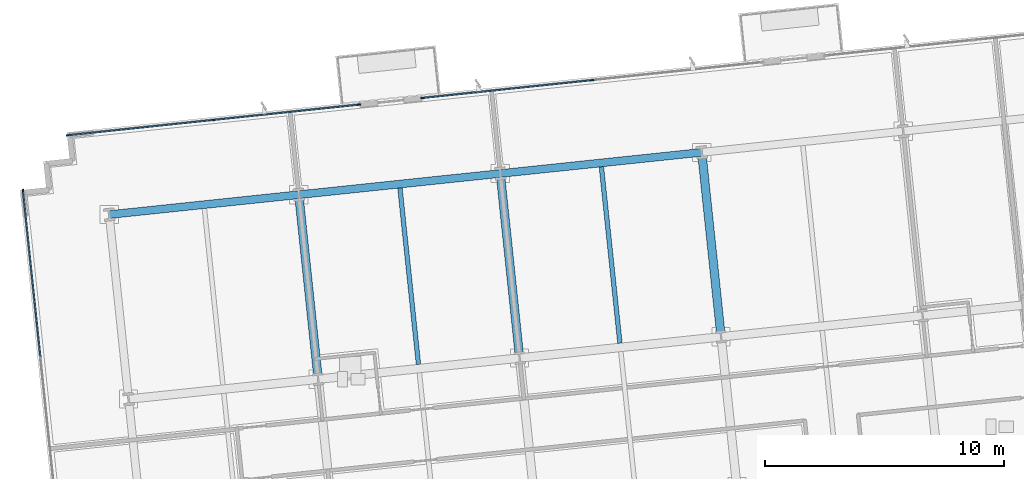
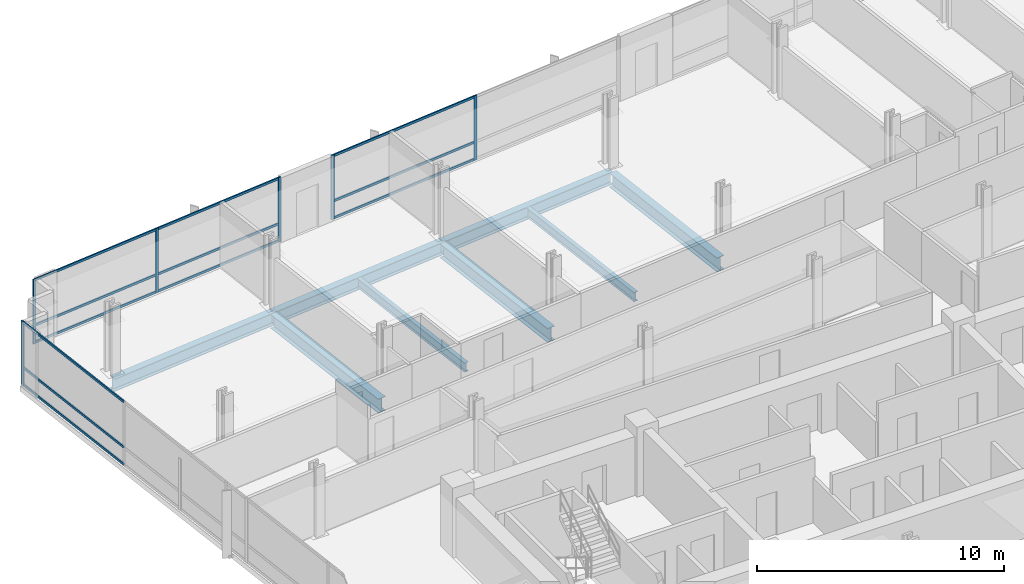
# One storey, part 9 of 21: 18 members, 8 beams, 3 elements without a shape of their own.
"""IFC4 building model written with IfcOpenShell, lengths in metres."""

from ifc_helpers import new_model, si_unit, direction, frame, origin, origin_2d, place, context, subcontext, project, spatial, rectangle, i_section, extrude, material, material_profile, profile_set, type_object, element, aggregate, save


model = new_model("IFC4")

# Units and contexts
model_context = context("Model", 3, precision=1e-05, world=origin(), true_north=direction((0.0, 1.0)))
body_context = subcontext(model_context, "Body", "Model", "MODEL_VIEW")
ifc_project = project(units=[si_unit("LENGTHUNIT", "METRE"), si_unit("AREAUNIT", "SQUARE_METRE"), si_unit("VOLUMEUNIT", "CUBIC_METRE"), si_unit("PLANEANGLEUNIT", "RADIAN"), si_unit("MASSUNIT", "GRAM", prefix="KILO")], contexts=[model_context])

# Site, building, storey
site_placement = place(None, origin())
site = spatial("IfcSite", under=ifc_project, at=site_placement, CompositionType="ELEMENT")
building_placement = place(site_placement, origin())
building = spatial("IfcBuilding", under=site, at=building_placement, Name="Solmavex Isthmus Hotel", CompositionType="ELEMENT")
storey_placement = place(building_placement, frame((0.0, 0.0, 113.25)))
storey = spatial("IfcBuildingStorey", under=building, at=storey_placement, Name="L30", CompositionType="ELEMENT", Elevation=113.25)

# Beams
ifc_material_1 = material(Name="Steel ASTM A992 Grade 50", Category="steel")
ifc_material_profile_1 = material_profile(ifc_material_1, i_section(OverallWidth=0.354736328125, OverallDepth=0.695556640625, WebThickness=0.015380859375, FlangeThickness=0.02490234375, FilletRadius=0.017822265625, at=origin_2d()), Name="W27X146")
ifc_profile_set_1 = profile_set([ifc_material_profile_1], Name="Steel ASTM A992 Grade 50")
beam_type_1 = type_object("IfcBeamType", Name="BM-BG-W27X146", PredefinedType="BEAM", material=ifc_profile_set_1)
for number, where, z_axis, x_axis, name in (
    (1, (-13.135498046875, 8.55859375, -0.607666015625), (-0.1045578893, 0.994518802128, 0.0), (-0.994518802128, -0.1045578893, 0.0), "Floor Beam L30-VG31"),
    (2, (-4.716064453125, 9.443603515625, -0.607666015625), (-0.104525307271, 0.994522227072, 0.0), (-0.994522227072, -0.104525307271, 0.0), "Floor Beam L30-VG35"),
):
    element("IfcBeam", number, at=place(storey_placement, frame(where, z_axis=z_axis, x_axis=x_axis)), inside=storey, type_object=beam_type_1, Name=name, PredefinedType="BEAM", context=body_context, shape_type="SweptSolid", body=[
        extrude(i_section(OverallWidth=0.354736328125, OverallDepth=0.695556640625, WebThickness=0.015380859375, FlangeThickness=0.02490234375, FilletRadius=0.017822265625, at=origin_2d()), origin(), (0.0, 0.0, 1.0), 7.4111328125),
    ])
beam_1_placement = place(storey_placement, frame((3.70361328125, 10.328369140625, -0.607666015625), z_axis=(-0.10452188296, 0.994522586964, 0.0), x_axis=(-0.994522586964, -0.10452188296, 0.0)))
element("IfcBeam", 3, at=beam_1_placement, inside=storey, type_object=beam_type_1, Name="Floor Beam L30-VG39", PredefinedType="BEAM", context=body_context, shape_type="SweptSolid", body=[
    extrude(i_section(OverallWidth=0.354736328125, OverallDepth=0.695556640625, WebThickness=0.015380859375, FlangeThickness=0.02490234375, FilletRadius=0.017822265625, at=origin_2d()), origin(), (0.0, 0.0, 1.0), 7.411376953125),
])
ifc_material_profile_2 = material_profile(ifc_material_1, i_section(OverallWidth=0.1904296875, OverallDepth=0.456787109375, WebThickness=0.009033203125, FlangeThickness=0.014404296875, FilletRadius=0.0126953125, at=origin_2d()), Name="W18X50")
ifc_profile_set_2 = profile_set([ifc_material_profile_2], Name="Steel ASTM A992 Grade 50")
beam_type_2 = type_object("IfcBeamType", Name="BM-BJ-W18X50", PredefinedType="JOIST", material=ifc_profile_set_2)
beam_2_placement = place(storey_placement, frame((-8.92578125, 9.0009765625, -0.488525390625), z_axis=(-0.10452188296, 0.994522586964, 0.0), x_axis=(-0.994522586964, -0.10452188296, 0.0)))
element("IfcBeam", 4, at=beam_2_placement, inside=storey, type_object=beam_type_2, Name="Secondary Floor Joist L30-J08", PredefinedType="JOIST", context=body_context, shape_type="SweptSolid", body=[
    extrude(i_section(OverallWidth=0.1904296875, OverallDepth=0.456787109375, WebThickness=0.009033203125, FlangeThickness=0.014404296875, FilletRadius=0.0126953125, at=origin_2d()), origin(), (0.0, 0.0, 1.0), 7.411376953125),
])
beam_3_placement = place(storey_placement, frame((-0.506103515625, 9.885986328125, -0.488525390625), z_axis=(-0.104525307271, 0.994522227072, 0.0), x_axis=(-0.994522227072, -0.104525307271, 0.0)))
element("IfcBeam", 5, at=beam_3_placement, inside=storey, type_object=beam_type_2, Name="Secondary Floor Joist L30-J12", PredefinedType="JOIST", context=body_context, shape_type="SweptSolid", body=[
    extrude(i_section(OverallWidth=0.1904296875, OverallDepth=0.456787109375, WebThickness=0.009033203125, FlangeThickness=0.014404296875, FilletRadius=0.0126953125, at=origin_2d()), origin(), (0.0, 0.0, 1.0), 7.4111328125),
])
ifc_material_profile_3 = material_profile(ifc_material_1, i_section(OverallWidth=0.326416015625, OverallDepth=0.621826171875, WebThickness=0.015380859375, FlangeThickness=0.0244140625, FilletRadius=0.01513671875, at=origin_2d()), Name="W24X131")
ifc_profile_set_3 = profile_set([ifc_material_profile_3], Name="Steel ASTM A992 Grade 50")
beam_type_3 = type_object("IfcBeamType", Name="BM-SP-W24X131", PredefinedType="SPANDREL", material=ifc_profile_set_3)
beam_4_placement = place(storey_placement, frame((-21.851806640625, 15.2587890625, -0.57080078125), z_axis=(0.994523402738, 0.104514120609, 0.0), x_axis=(-0.104514120609, 0.994523402738, 0.0)))
element("IfcBeam", 6, at=beam_4_placement, inside=storey, type_object=beam_type_3, Name="Floor Girder L30-UG19", PredefinedType="SPANDREL", context=body_context, shape_type="SweptSolid", body=[
    extrude(i_section(OverallWidth=0.326416015625, OverallDepth=0.621826171875, WebThickness=0.015380859375, FlangeThickness=0.0244140625, FilletRadius=0.01513671875, at=origin_2d()), origin(), (0.0, 0.0, 1.0), 7.968017578125),
])
for number, where, z_axis, x_axis, name in (
    (7, (-13.927490234375, 16.091552734375, -0.57080078125), (0.994521085209, 0.104536171134, 0.0), (-0.104536171134, 0.994521085209, 0.0), "Floor Girder L30-UG20"),
    (8, (-5.5078125, 16.9765625, -0.57080078125), (0.994521085209, 0.104536171134, 0.0), (-0.104536171134, 0.994521085209, 0.0), "Floor Girder L30-UG21"),
):
    element("IfcBeam", number, at=place(storey_placement, frame(where, z_axis=z_axis, x_axis=x_axis)), inside=storey, type_object=beam_type_3, Name=name, PredefinedType="SPANDREL", context=body_context, shape_type="SweptSolid", body=[
        extrude(i_section(OverallWidth=0.326416015625, OverallDepth=0.621826171875, WebThickness=0.015380859375, FlangeThickness=0.0244140625, FilletRadius=0.01513671875, at=origin_2d()), origin(), (0.0, 0.0, 1.0), 8.466064453125),
    ])

# Curtain wall, members
ifc_material_2 = material(Name="Aluminium alloy 6063-T6", Category="aluminium")
curtain_wall_type = type_object("IfcCurtainWallType", Name="CW-SYS-06", PredefinedType="NOTDEFINED", material=ifc_material_2)
curtain_wall_1_placement = place(storey_placement, origin())
curtain_wall_1 = element("IfcCurtainWall", 9, at=curtain_wall_1_placement, inside=storey, type_object=curtain_wall_type, Name="Stick Curtain Wall CWL-L30-N1", PredefinedType="NOTDEFINED")
ifc_material_profile_4 = material_profile(ifc_material_2, rectangle(XDim=0.06005859375, YDim=0.139892578125, at=origin_2d()), Name="CWM-60X140")
ifc_profile_set_4 = profile_set([ifc_material_profile_4], Name="Aluminium alloy 6063-T6")
member_type_1 = type_object("IfcMemberType", Name="CW-SYS-06-MUL", PredefinedType="MULLION", material=ifc_profile_set_4)
member_1_placement = place(storey_placement, frame((-23.577880859375, 18.576416015625, 0.0), z_axis=(0.0, 0.0, 1.0), x_axis=(-0.104528123665, 0.994521931062, 0.0)))
member_1 = element("IfcMember", 10, at=member_1_placement, type_object=member_type_1, Name="CW-06 mullion 1", PredefinedType="MULLION", context=body_context, shape_type="SweptSolid", body=[
    extrude(rectangle(XDim=0.06005859375, YDim=0.139892578125, at=origin_2d()), origin(), (0.0, 0.0, 1.0), 3.18994140625),
])
member_2_placement = place(storey_placement, frame((-17.490966796875, 19.21630859375, 0.0), z_axis=(0.0, 0.0, 1.0), x_axis=(-0.104528123665, 0.994521931062, 0.0)))
member_2 = element("IfcMember", 11, at=member_2_placement, type_object=member_type_1, Name="CW-06 mullion 2", PredefinedType="MULLION", context=body_context, shape_type="SweptSolid", body=[
    extrude(rectangle(XDim=0.06005859375, YDim=0.139892578125, at=origin_2d()), origin(), (0.0, 0.0, 1.0), 3.18994140625),
])
member_3_placement = place(storey_placement, frame((-11.404052734375, 19.85595703125, 0.0), z_axis=(0.0, 0.0, 1.0), x_axis=(-0.104528123665, 0.994521931062, 0.0)))
member_3 = element("IfcMember", 12, at=member_3_placement, type_object=member_type_1, Name="CW-06 mullion 3", PredefinedType="MULLION", context=body_context, shape_type="SweptSolid", body=[
    extrude(rectangle(XDim=0.06005859375, YDim=0.139892578125, at=origin_2d()), origin(), (0.0, 0.0, 1.0), 3.18994140625),
])

curtain_wall_2_placement = place(storey_placement, origin())
curtain_wall_2 = element("IfcCurtainWall", 13, at=curtain_wall_2_placement, inside=storey, type_object=curtain_wall_type, Name="Stick Curtain Wall CWL-L30-N2", PredefinedType="NOTDEFINED")
member_4_placement = place(storey_placement, frame((-8.758544921875, 20.134033203125, 0.0), z_axis=(0.0, 0.0, 1.0), x_axis=(-0.104528313766, 0.994521911082, 0.0)))
member_4 = element("IfcMember", 14, at=member_4_placement, type_object=member_type_1, Name="CW-06 mullion 1", PredefinedType="MULLION", context=body_context, shape_type="SweptSolid", body=[
    extrude(rectangle(XDim=0.06005859375, YDim=0.139892578125, at=origin_2d()), origin(), (0.0, 0.0, 1.0), 3.18994140625),
])
member_5_placement = place(storey_placement, frame((-1.66162109375, 20.8798828125, 0.0), z_axis=(0.0, 0.0, 1.0), x_axis=(-0.104528313766, 0.994521911082, 0.0)))
member_5 = element("IfcMember", 15, at=member_5_placement, type_object=member_type_1, Name="CW-06 mullion 2", PredefinedType="MULLION", context=body_context, shape_type="SweptSolid", body=[
    extrude(rectangle(XDim=0.06005859375, YDim=0.139892578125, at=origin_2d()), origin(), (0.0, 0.0, 1.0), 3.18994140625),
])

# Curtain wall, member
curtain_wall_3_placement = place(storey_placement, origin())
curtain_wall_3 = element("IfcCurtainWall", 16, at=curtain_wall_3_placement, inside=storey, type_object=curtain_wall_type, Name="Stick Curtain Wall CWL-L30-W1", PredefinedType="NOTDEFINED")
member_6_placement = place(storey_placement, frame((-25.455810546875, 16.257568359375, 0.0), z_axis=(0.0, 0.0, 1.0), x_axis=(-0.994521893044, -0.104528485381, 0.0)))
member_6 = element("IfcMember", 17, at=member_6_placement, type_object=member_type_1, Name="CW-06 mullion 6", PredefinedType="MULLION", context=body_context, shape_type="SweptSolid", body=[
    extrude(rectangle(XDim=0.06005859375, YDim=0.139892578125, at=origin_2d()), origin(), (0.0, 0.0, 1.0), 3.18994140625),
])

# Member
ifc_material_profile_5 = material_profile(ifc_material_2, rectangle(XDim=0.06005859375, YDim=0.114990234375, at=origin_2d()), Name="CWT-60X115")
ifc_profile_set_5 = profile_set([ifc_material_profile_5], Name="Aluminium alloy 6063-T6")
member_type_2 = type_object("IfcMemberType", Name="CW-SYS-06-TRN", PredefinedType="USERDEFINED", material=ifc_profile_set_5)
member_7_placement = place(storey_placement, frame((-23.548095703125, 18.57958984375, 0.0576171875), z_axis=(0.994521113747, 0.104535899634, 0.0), x_axis=(-0.104535899634, 0.994521113747, 0.0)))
member_7 = element("IfcMember", 18, at=member_7_placement, type_object=member_type_2, Name="CW-06 transom 1.1", ObjectType="TRANSOM", PredefinedType="USERDEFINED", context=body_context, shape_type="SweptSolid", body=[
    extrude(rectangle(XDim=0.06005859375, YDim=0.114990234375, at=origin_2d()), origin(), (0.0, 0.0, 1.0), 6.060546875),
])

member_8_placement = place(storey_placement, frame((-23.548095703125, 18.57958984375, 0.89990234375), z_axis=(0.994521113747, 0.104535899634, 0.0), x_axis=(-0.104535899634, 0.994521113747, 0.0)))
member_8 = element("IfcMember", 19, at=member_8_placement, type_object=member_type_2, Name="CW-06 transom 1.2", ObjectType="TRANSOM", PredefinedType="USERDEFINED", context=body_context, shape_type="SweptSolid", body=[
    extrude(rectangle(XDim=0.06005859375, YDim=0.114990234375, at=origin_2d()), origin(), (0.0, 0.0, 1.0), 6.060546875),
])

member_9_placement = place(storey_placement, frame((-23.548095703125, 18.57958984375, 3.132568359375), z_axis=(0.994521113747, 0.104535899634, 0.0), x_axis=(-0.104535899634, 0.994521113747, 0.0)))
member_9 = element("IfcMember", 20, at=member_9_placement, type_object=member_type_2, Name="CW-06 transom 1.3", ObjectType="TRANSOM", PredefinedType="USERDEFINED", context=body_context, shape_type="SweptSolid", body=[
    extrude(rectangle(XDim=0.06005859375, YDim=0.114990234375, at=origin_2d()), origin(), (0.0, 0.0, 1.0), 6.060546875),
])

member_10_placement = place(storey_placement, frame((-17.461181640625, 19.219482421875, 0.0576171875), z_axis=(0.994525300975, 0.104496056008, 0.0), x_axis=(-0.104496056008, 0.994525300975, 0.0)))
member_10 = element("IfcMember", 21, at=member_10_placement, type_object=member_type_2, Name="CW-06 transom 2.1", ObjectType="TRANSOM", PredefinedType="USERDEFINED", context=body_context, shape_type="SweptSolid", body=[
    extrude(rectangle(XDim=0.06005859375, YDim=0.114990234375, at=origin_2d()), origin(), (0.0, 0.0, 1.0), 6.060546875),
])

member_11_placement = place(storey_placement, frame((-17.461181640625, 19.219482421875, 0.89990234375), z_axis=(0.994525300975, 0.104496056008, 0.0), x_axis=(-0.104496056008, 0.994525300975, 0.0)))
member_11 = element("IfcMember", 22, at=member_11_placement, type_object=member_type_2, Name="CW-06 transom 2.2", ObjectType="TRANSOM", PredefinedType="USERDEFINED", context=body_context, shape_type="SweptSolid", body=[
    extrude(rectangle(XDim=0.06005859375, YDim=0.114990234375, at=origin_2d()), origin(), (0.0, 0.0, 1.0), 6.060546875),
])

member_12_placement = place(storey_placement, frame((-17.461181640625, 19.219482421875, 3.132568359375), z_axis=(0.994525300975, 0.104496056008, 0.0), x_axis=(-0.104496056008, 0.994525300975, 0.0)))
member_12 = element("IfcMember", 23, at=member_12_placement, type_object=member_type_2, Name="CW-06 transom 2.3", ObjectType="TRANSOM", PredefinedType="USERDEFINED", context=body_context, shape_type="SweptSolid", body=[
    extrude(rectangle(XDim=0.06005859375, YDim=0.114990234375, at=origin_2d()), origin(), (0.0, 0.0, 1.0), 6.060546875),
])

aggregate(curtain_wall_1, [member_1, member_2, member_3, member_7, member_8, member_9, member_10, member_11, member_12])

member_13_placement = place(storey_placement, frame((-8.728759765625, 20.13720703125, 0.0576171875), z_axis=(0.994520189627, 0.104544691041, 0.0), x_axis=(-0.104544691041, 0.994520189627, 0.0)))
member_13 = element("IfcMember", 24, at=member_13_placement, type_object=member_type_2, Name="CW-06 transom 1.1", ObjectType="TRANSOM", PredefinedType="USERDEFINED", context=body_context, shape_type="SweptSolid", body=[
    extrude(rectangle(XDim=0.06005859375, YDim=0.114990234375, at=origin_2d()), origin(), (0.0, 0.0, 1.0), 7.075927734375),
])

member_14_placement = place(storey_placement, frame((-8.728759765625, 20.13720703125, 0.89990234375), z_axis=(0.994520189627, 0.104544691041, 0.0), x_axis=(-0.104544691041, 0.994520189627, 0.0)))
member_14 = element("IfcMember", 25, at=member_14_placement, type_object=member_type_2, Name="CW-06 transom 1.2", ObjectType="TRANSOM", PredefinedType="USERDEFINED", context=body_context, shape_type="SweptSolid", body=[
    extrude(rectangle(XDim=0.06005859375, YDim=0.114990234375, at=origin_2d()), origin(), (0.0, 0.0, 1.0), 7.075927734375),
])

member_15_placement = place(storey_placement, frame((-8.728759765625, 20.13720703125, 3.132568359375), z_axis=(0.994520189627, 0.104544691041, 0.0), x_axis=(-0.104544691041, 0.994520189627, 0.0)))
member_15 = element("IfcMember", 26, at=member_15_placement, type_object=member_type_2, Name="CW-06 transom 1.3", ObjectType="TRANSOM", PredefinedType="USERDEFINED", context=body_context, shape_type="SweptSolid", body=[
    extrude(rectangle(XDim=0.06005859375, YDim=0.114990234375, at=origin_2d()), origin(), (0.0, 0.0, 1.0), 7.075927734375),
])

aggregate(curtain_wall_2, [member_4, member_5, member_13, member_14, member_15])

member_16_placement = place(storey_placement, frame((-24.728271484375, 9.335693359375, 0.0576171875), z_axis=(-0.10452523802, 0.99452223435, 0.0), x_axis=(-0.99452223435, -0.10452523802, 0.0)))
member_16 = element("IfcMember", 27, at=member_16_placement, type_object=member_type_2, Name="CW-06 transom 5.1", ObjectType="TRANSOM", PredefinedType="USERDEFINED", context=body_context, shape_type="SweptSolid", body=[
    extrude(rectangle(XDim=0.06005859375, YDim=0.114990234375, at=origin_2d()), origin(), (0.0, 0.0, 1.0), 6.929931640625),
])

member_17_placement = place(storey_placement, frame((-24.728271484375, 9.335693359375, 0.89990234375), z_axis=(-0.10452523802, 0.99452223435, 0.0), x_axis=(-0.99452223435, -0.10452523802, 0.0)))
member_17 = element("IfcMember", 28, at=member_17_placement, type_object=member_type_2, Name="CW-06 transom 5.2", ObjectType="TRANSOM", PredefinedType="USERDEFINED", context=body_context, shape_type="SweptSolid", body=[
    extrude(rectangle(XDim=0.06005859375, YDim=0.114990234375, at=origin_2d()), origin(), (0.0, 0.0, 1.0), 6.929931640625),
])

member_18_placement = place(storey_placement, frame((-24.728271484375, 9.335693359375, 3.132568359375), z_axis=(-0.10452523802, 0.99452223435, 0.0), x_axis=(-0.99452223435, -0.10452523802, 0.0)))
member_18 = element("IfcMember", 29, at=member_18_placement, type_object=member_type_2, Name="CW-06 transom 5.3", ObjectType="TRANSOM", PredefinedType="USERDEFINED", context=body_context, shape_type="SweptSolid", body=[
    extrude(rectangle(XDim=0.06005859375, YDim=0.114990234375, at=origin_2d()), origin(), (0.0, 0.0, 1.0), 6.929931640625),
])

aggregate(curtain_wall_3, [member_6, member_16, member_17, member_18])

save(model, "model.ifc")
